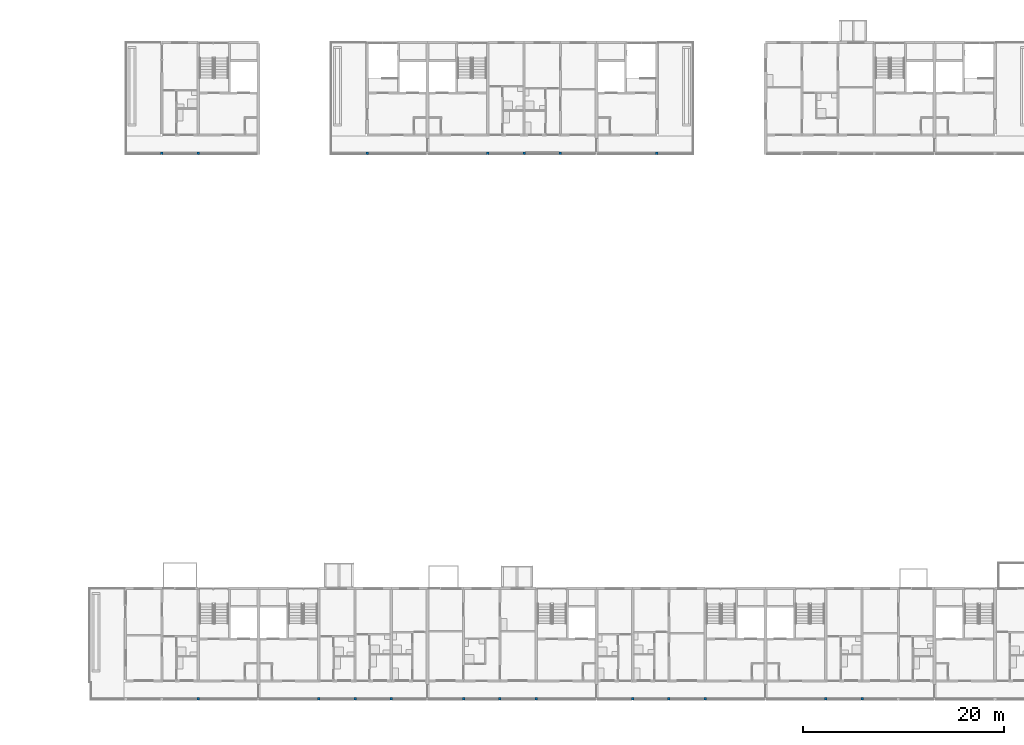
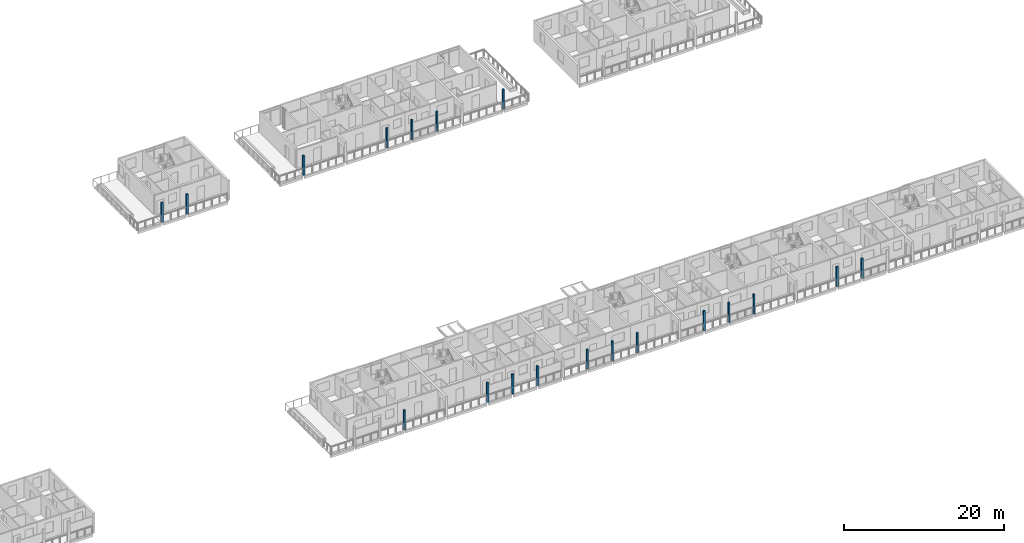
# One storey, part 3 of 87: 19 columns.
"""IFC4 building model written with IfcOpenShell, lengths in metres."""

from ifc_helpers import new_model, si_unit, direction, frame, origin, origin_2d, place, context, subcontext, project, spatial, rectangle, extrude, material, material_profile, profile_set, type_object, element, save


model = new_model("IFC4")

# Units and contexts
model_context = context("Model", 3, precision=1e-05, world=origin(), true_north=direction((0.0, 1.0)))
body_context = subcontext(model_context, "Body", "Model", "MODEL_VIEW")
ifc_project = project(units=[si_unit("LENGTHUNIT", "METRE"), si_unit("AREAUNIT", "SQUARE_METRE"), si_unit("VOLUMEUNIT", "CUBIC_METRE"), si_unit("PLANEANGLEUNIT", "RADIAN"), si_unit("MASSUNIT", "GRAM", prefix="KILO")], contexts=[model_context])

# Site, building, storey
site_placement = place(None, origin())
site = spatial("IfcSite", under=ifc_project, at=site_placement, CompositionType="ELEMENT")
building_placement = place(site_placement, origin())
building = spatial("IfcBuilding", under=site, at=building_placement, Name="Ridgestep Commons", CompositionType="ELEMENT")
storey_placement = place(building_placement, frame((0.0, 0.0, 27.0)))
storey = spatial("IfcBuildingStorey", under=building, at=storey_placement, Name="L09", CompositionType="ELEMENT", Elevation=27.0)

# Columns
ifc_material = material(Name="Precast concrete C40/50", Category="concrete")
ifc_material_profile = material_profile(ifc_material, rectangle(XDim=0.25, YDim=0.25, at=origin_2d()), Name="PC 250x250")
ifc_profile_set = profile_set([ifc_material_profile], Name="Precast concrete C40/50")
column_type = type_object("IfcColumnType", Name="Loggia column 250 x 250", PredefinedType="COLUMN", material=ifc_profile_set)
for number, where, z_axis, x_axis, name in (
    (1, (154.0, 66.125, 0.0), (0.0, 0.0, 1.0), (1.0, 0.0, 0.0), "Loggia column C L09"),
    (2, (157.60009765625, 66.125, 0.0), (0.0, 0.0, 1.0), (1.0, 0.0, 0.0), "Loggia column C L09"),
    (3, (174.39990234375, 66.125, 0.0), (0.0, 0.0, 1.0), (1.0, 0.0, 0.0), "Loggia column C L09"),
    (4, (186.39990234375, 66.125, 0.0), (0.0, 0.0, 1.0), (1.0, 0.0, 0.0), "Loggia column C L09"),
    (5, (190.0, 66.125, 0.0), (0.0, 0.0, 1.0), (1.0, 0.0, 0.0), "Loggia column C L09"),
    (6, (193.60009765625, 66.125, 0.0), (0.0, 0.0, 1.0), (1.0, 0.0, 0.0), "Loggia column C L09"),
    (7, (203.199951171875, 66.125, 0.0), (0.0, 0.0, 1.0), (1.0, 0.0, 0.0), "Loggia column C L09"),
    (8, (157.60009765625, 11.875, 0.0), (0.0, 0.0, 1.0), (1.0, 0.0, 0.0), "Loggia column D L09"),
    (9, (169.60009765625, 11.875, 0.0), (0.0, 0.0, 1.0), (1.0, 0.0, 0.0), "Loggia column D L09"),
    (10, (173.199951171875, 11.875, 0.0), (0.0, 0.0, 1.0), (1.0, 0.0, 0.0), "Loggia column D L09"),
    (11, (176.800048828125, 11.875, 0.0), (0.0, 0.0, 1.0), (1.0, 0.0, 0.0), "Loggia column D L09"),
    (12, (184.0, 11.875, 0.0), (0.0, 0.0, 1.0), (1.0, 0.0, 0.0), "Loggia column D L09"),
    (13, (187.60009765625, 11.875, 0.0), (0.0, 0.0, 1.0), (1.0, 0.0, 0.0), "Loggia column D L09"),
    (14, (191.199951171875, 11.875, 0.0), (0.0, 0.0, 1.0), (1.0, 0.0, 0.0), "Loggia column D L09"),
    (15, (200.800048828125, 11.875, 0.0), (0.0, 0.0, 1.0), (1.0, 0.0, 0.0), "Loggia column D L09"),
    (16, (204.39990234375, 11.875, 0.0), (0.0, 0.0, 1.0), (1.0, 0.0, 0.0), "Loggia column D L09"),
    (17, (208.0, 11.875, 0.0), (0.0, 0.0, 1.0), (1.0, 0.0, 0.0), "Loggia column D L09"),
    (18, (220.0, 11.875, 0.0), (0.0, 0.0, 1.0), (1.0, 0.0, 0.0), "Loggia column D L09"),
    (19, (223.60009765625, 11.875, 0.0), (0.0, 0.0, 1.0), (1.0, 0.0, 0.0), "Loggia column D L09"),
):
    element("IfcColumn", number, at=place(storey_placement, frame(where, z_axis=z_axis, x_axis=x_axis)), inside=storey, type_object=column_type, Name=name, PredefinedType="COLUMN", context=body_context, shape_type="SweptSolid", body=[
        extrude(rectangle(XDim=0.25, YDim=0.25, at=origin_2d()), origin(), (0.0, 0.0, 1.0), 3.0),
    ])

save(model, "model.ifc")
